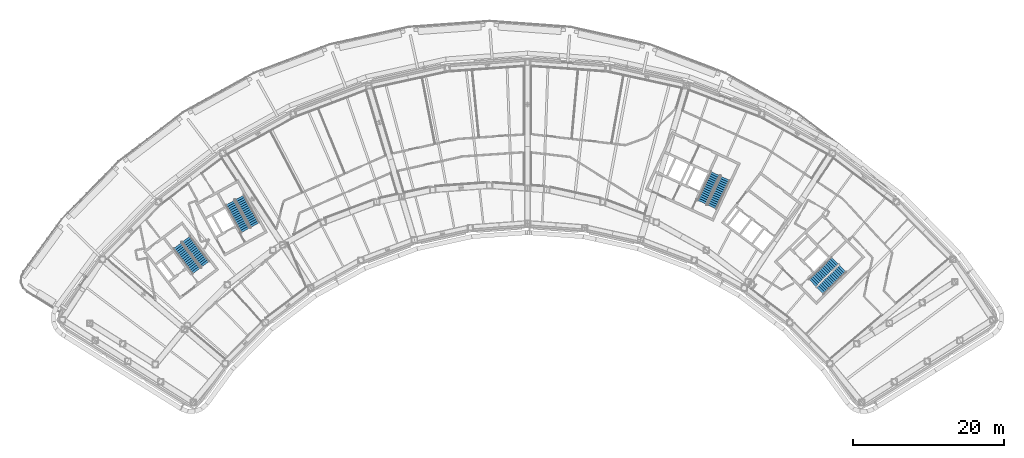
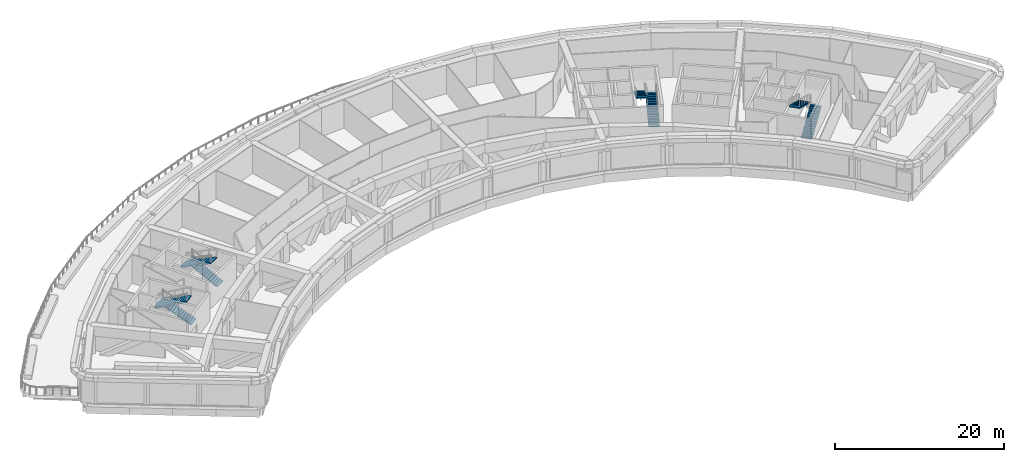
# One storey, part 12 of 24: 8 stair flights, 4 elements without a shape of their own.
"""IFC4 building model written with IfcOpenShell, lengths in metres."""

from ifc_helpers import new_model, si_unit, direction, frame, origin, place, context, subcontext, project, spatial, polyline, outline, extrude, material, type_object, element, aggregate, save


model = new_model("IFC4")

# Units and contexts
model_context = context("Model", 3, precision=1e-05, world=origin(), true_north=direction((0.0, 1.0)))
body_context = subcontext(model_context, "Body", "Model", "MODEL_VIEW")
ifc_project = project(units=[si_unit("LENGTHUNIT", "METRE"), si_unit("AREAUNIT", "SQUARE_METRE"), si_unit("VOLUMEUNIT", "CUBIC_METRE"), si_unit("PLANEANGLEUNIT", "RADIAN"), si_unit("MASSUNIT", "GRAM", prefix="KILO")], contexts=[model_context])

# Site, building, storey
site_placement = place(None, origin())
site = spatial("IfcSite", under=ifc_project, at=site_placement, CompositionType="ELEMENT")
building_placement = place(site_placement, origin())
building = spatial("IfcBuilding", under=site, at=building_placement, Name="Tuul Gate Civic Tower", CompositionType="ELEMENT")
storey_placement = place(building_placement, frame((0.0, 0.0, 94.800048828125)))
storey = spatial("IfcBuildingStorey", under=building, at=storey_placement, Name="Plant and refuge floor 3", CompositionType="ELEMENT", Elevation=94.800048828125)

# Stair, stair flights
ifc_material_1 = material(Name="Concrete C40/50", Category="concrete")
stair_type = type_object("IfcStairType", Name="Exit stair", PredefinedType="HALF_TURN_STAIR", material=ifc_material_1)
stair_1_placement = place(storey_placement, origin())
stair_1 = element("IfcStair", 1, at=stair_1_placement, inside=storey, type_object=stair_type, Name="Plant and refuge floor 3 ST-1", PredefinedType="HALF_TURN_STAIR")
ifc_material_2 = material(Name="Concrete C40/50", Category="concrete")
stair_flight_type = type_object("IfcStairFlightType", Name="Exit stair flight", PredefinedType="STRAIGHT", material=ifc_material_2)
stair_flight_1_placement = place(storey_placement, frame((-32.875244140625, -13.066650390625, 0.0), z_axis=(0.0, 0.0, 1.0), x_axis=(-0.605764474941, 0.795644016442, 0.0)))
stair_flight_1 = element("IfcStairFlight", 2, at=stair_flight_1_placement, type_object=stair_flight_type, Name="ST-1 flight 1", NumberOfRisers=15, NumberOfTreads=14, PredefinedType="STRAIGHT", RiserHeight=0.15, TreadLength=0.3, context=body_context, shape_type="SweptSolid", body=[
    extrude(outline(polyline([(0.0, 0.0), (0.0, 0.14990234375), (0.300048828125, 0.14990234375), (0.300048828125, 0.300048828125), (0.60009765625, 0.300048828125), (0.60009765625, 0.449951171875), (0.89990234375, 0.449951171875), (0.89990234375, 0.60009765625), (1.199951171875, 0.60009765625), (1.199951171875, 0.75), (1.5, 0.75), (1.5, 0.89990234375), (1.800048828125, 0.89990234375), (1.800048828125, 1.050048828125), (2.10009765625, 1.050048828125), (2.10009765625, 1.199951171875), (2.39990234375, 1.199951171875), (2.39990234375, 1.35009765625), (2.699951171875, 1.35009765625), (2.699951171875, 1.5), (3.0, 1.5), (3.0, 1.64990234375), (3.300048828125, 1.64990234375), (3.300048828125, 1.800048828125), (3.60009765625, 1.800048828125), (3.60009765625, 1.949951171875), (3.89990234375, 1.949951171875), (3.89990234375, 2.10009765625), (4.199951171875, 2.10009765625), (4.199951171875, 2.25), (4.199951171875, 1.932373046875), (0.335205078125, 0.0), (0.0, 0.0)])), frame((0.0, 0.675048828125, 0.0), z_axis=(0.0, -1.0, 0.0), x_axis=(1.0, 0.0, 0.0)), (0.0, 0.0, 1.0), 1.35009765625),
])
stair_flight_2_placement = place(storey_placement, frame((-36.5732421875, -10.603515625, 2.25), z_axis=(0.0, 0.0, 1.0), x_axis=(0.605764474941, -0.795644016442, 0.0)))
stair_flight_2 = element("IfcStairFlight", 3, at=stair_flight_2_placement, type_object=stair_flight_type, Name="ST-1 flight 2", NumberOfRisers=15, NumberOfTreads=14, PredefinedType="STRAIGHT", RiserHeight=0.15, TreadLength=0.3, context=body_context, shape_type="SweptSolid", body=[
    extrude(outline(polyline([(0.0, 0.0), (0.0, 0.14990234375), (0.300048828125, 0.14990234375), (0.300048828125, 0.300048828125), (0.60009765625, 0.300048828125), (0.60009765625, 0.449951171875), (0.89990234375, 0.449951171875), (0.89990234375, 0.60009765625), (1.199951171875, 0.60009765625), (1.199951171875, 0.75), (1.5, 0.75), (1.5, 0.89990234375), (1.800048828125, 0.89990234375), (1.800048828125, 1.050048828125), (2.10009765625, 1.050048828125), (2.10009765625, 1.199951171875), (2.39990234375, 1.199951171875), (2.39990234375, 1.35009765625), (2.699951171875, 1.35009765625), (2.699951171875, 1.5), (3.0, 1.5), (3.0, 1.64990234375), (3.300048828125, 1.64990234375), (3.300048828125, 1.800048828125), (3.60009765625, 1.800048828125), (3.60009765625, 1.949951171875), (3.89990234375, 1.949951171875), (3.89990234375, 2.10009765625), (4.199951171875, 2.10009765625), (4.199951171875, 2.25), (4.199951171875, 1.932373046875), (0.335205078125, 0.0), (0.0, 0.0)])), frame((0.0, 0.675048828125, 0.0), z_axis=(0.0, -1.0, 0.0), x_axis=(1.0, 0.0, 0.0)), (0.0, 0.0, 1.0), 1.35009765625),
])
aggregate(stair_1, [stair_flight_1, stair_flight_2])

stair_2_placement = place(storey_placement, origin())
stair_2 = element("IfcStair", 4, at=stair_2_placement, inside=storey, type_object=stair_type, Name="Plant and refuge floor 3 ST-2", PredefinedType="HALF_TURN_STAIR")
stair_flight_3_placement = place(storey_placement, frame((-26.29150390625, -7.87646484375, 0.0), z_axis=(0.0, 0.0, 1.0), x_axis=(-0.484761763766, 0.874646232708, 0.0)))
stair_flight_3 = element("IfcStairFlight", 5, at=stair_flight_3_placement, type_object=stair_flight_type, Name="ST-2 flight 1", NumberOfRisers=15, NumberOfTreads=14, PredefinedType="STRAIGHT", RiserHeight=0.15, TreadLength=0.3, context=body_context, shape_type="SweptSolid", body=[
    extrude(outline(polyline([(0.0, 0.0), (0.0, 0.14990234375), (0.300048828125, 0.14990234375), (0.300048828125, 0.300048828125), (0.60009765625, 0.300048828125), (0.60009765625, 0.449951171875), (0.89990234375, 0.449951171875), (0.89990234375, 0.60009765625), (1.199951171875, 0.60009765625), (1.199951171875, 0.75), (1.5, 0.75), (1.5, 0.89990234375), (1.800048828125, 0.89990234375), (1.800048828125, 1.050048828125), (2.10009765625, 1.050048828125), (2.10009765625, 1.199951171875), (2.39990234375, 1.199951171875), (2.39990234375, 1.35009765625), (2.699951171875, 1.35009765625), (2.699951171875, 1.5), (3.0, 1.5), (3.0, 1.64990234375), (3.300048828125, 1.64990234375), (3.300048828125, 1.800048828125), (3.60009765625, 1.800048828125), (3.60009765625, 1.949951171875), (3.89990234375, 1.949951171875), (3.89990234375, 2.10009765625), (4.199951171875, 2.10009765625), (4.199951171875, 2.25), (4.199951171875, 1.932373046875), (0.335205078125, 0.0), (0.0, 0.0)])), frame((0.0, 0.675048828125, 0.0), z_axis=(0.0, -1.0, 0.0), x_axis=(1.0, 0.0, 0.0)), (0.0, 0.0, 1.0), 1.35009765625),
])
stair_flight_4_placement = place(storey_placement, frame((-29.595947265625, -4.90576171875, 2.25), z_axis=(0.0, 0.0, 1.0), x_axis=(0.484761763766, -0.874646232708, 0.0)))
stair_flight_4 = element("IfcStairFlight", 6, at=stair_flight_4_placement, type_object=stair_flight_type, Name="ST-2 flight 2", NumberOfRisers=15, NumberOfTreads=14, PredefinedType="STRAIGHT", RiserHeight=0.15, TreadLength=0.3, context=body_context, shape_type="SweptSolid", body=[
    extrude(outline(polyline([(0.0, 0.0), (0.0, 0.14990234375), (0.300048828125, 0.14990234375), (0.300048828125, 0.300048828125), (0.60009765625, 0.300048828125), (0.60009765625, 0.449951171875), (0.89990234375, 0.449951171875), (0.89990234375, 0.60009765625), (1.199951171875, 0.60009765625), (1.199951171875, 0.75), (1.5, 0.75), (1.5, 0.89990234375), (1.800048828125, 0.89990234375), (1.800048828125, 1.050048828125), (2.10009765625, 1.050048828125), (2.10009765625, 1.199951171875), (2.39990234375, 1.199951171875), (2.39990234375, 1.35009765625), (2.699951171875, 1.35009765625), (2.699951171875, 1.5), (3.0, 1.5), (3.0, 1.64990234375), (3.300048828125, 1.64990234375), (3.300048828125, 1.800048828125), (3.60009765625, 1.800048828125), (3.60009765625, 1.949951171875), (3.89990234375, 1.949951171875), (3.89990234375, 2.10009765625), (4.199951171875, 2.10009765625), (4.199951171875, 2.25), (4.199951171875, 1.932373046875), (0.335205078125, 0.0), (0.0, 0.0)])), frame((0.0, 0.675048828125, 0.0), z_axis=(0.0, -1.0, 0.0), x_axis=(1.0, 0.0, 0.0)), (0.0, 0.0, 1.0), 1.35009765625),
])
aggregate(stair_2, [stair_flight_3, stair_flight_4])

stair_3_placement = place(storey_placement, origin())
stair_3 = element("IfcStair", 7, at=stair_3_placement, inside=storey, type_object=stair_type, Name="Plant and refuge floor 3 ST-3", PredefinedType="HALF_TURN_STAIR")
stair_flight_5_placement = place(storey_placement, frame((48.61376953125, -16.581787109375, 0.0), z_axis=(0.0, 0.0, 1.0), x_axis=(0.714127290059, 0.700015866672, 0.0)))
stair_flight_5 = element("IfcStairFlight", 8, at=stair_flight_5_placement, type_object=stair_flight_type, Name="ST-3 flight 1", NumberOfRisers=15, NumberOfTreads=14, PredefinedType="STRAIGHT", RiserHeight=0.15, TreadLength=0.3, context=body_context, shape_type="SweptSolid", body=[
    extrude(outline(polyline([(0.0, 0.0), (0.0, 0.14990234375), (0.300048828125, 0.14990234375), (0.300048828125, 0.300048828125), (0.60009765625, 0.300048828125), (0.60009765625, 0.449951171875), (0.89990234375, 0.449951171875), (0.89990234375, 0.60009765625), (1.199951171875, 0.60009765625), (1.199951171875, 0.75), (1.5, 0.75), (1.5, 0.89990234375), (1.800048828125, 0.89990234375), (1.800048828125, 1.050048828125), (2.10009765625, 1.050048828125), (2.10009765625, 1.199951171875), (2.39990234375, 1.199951171875), (2.39990234375, 1.35009765625), (2.699951171875, 1.35009765625), (2.699951171875, 1.5), (3.0, 1.5), (3.0, 1.64990234375), (3.300048828125, 1.64990234375), (3.300048828125, 1.800048828125), (3.60009765625, 1.800048828125), (3.60009765625, 1.949951171875), (3.89990234375, 1.949951171875), (3.89990234375, 2.10009765625), (4.199951171875, 2.10009765625), (4.199951171875, 2.25), (4.199951171875, 1.932373046875), (0.335205078125, 0.0), (0.0, 0.0)])), frame((0.0, 0.675048828125, 0.0), z_axis=(0.0, -1.0, 0.0), x_axis=(1.0, 0.0, 0.0)), (0.0, 0.0, 1.0), 1.35009765625),
])
stair_flight_6_placement = place(storey_placement, frame((50.59814453125, -12.606201171875, 2.25), z_axis=(0.0, 0.0, 1.0), x_axis=(-0.714127290059, -0.700015866672, 0.0)))
stair_flight_6 = element("IfcStairFlight", 9, at=stair_flight_6_placement, type_object=stair_flight_type, Name="ST-3 flight 2", NumberOfRisers=15, NumberOfTreads=14, PredefinedType="STRAIGHT", RiserHeight=0.15, TreadLength=0.3, context=body_context, shape_type="SweptSolid", body=[
    extrude(outline(polyline([(0.0, 0.0), (0.0, 0.14990234375), (0.300048828125, 0.14990234375), (0.300048828125, 0.300048828125), (0.60009765625, 0.300048828125), (0.60009765625, 0.449951171875), (0.89990234375, 0.449951171875), (0.89990234375, 0.60009765625), (1.199951171875, 0.60009765625), (1.199951171875, 0.75), (1.5, 0.75), (1.5, 0.89990234375), (1.800048828125, 0.89990234375), (1.800048828125, 1.050048828125), (2.10009765625, 1.050048828125), (2.10009765625, 1.199951171875), (2.39990234375, 1.199951171875), (2.39990234375, 1.35009765625), (2.699951171875, 1.35009765625), (2.699951171875, 1.5), (3.0, 1.5), (3.0, 1.64990234375), (3.300048828125, 1.64990234375), (3.300048828125, 1.800048828125), (3.60009765625, 1.800048828125), (3.60009765625, 1.949951171875), (3.89990234375, 1.949951171875), (3.89990234375, 2.10009765625), (4.199951171875, 2.10009765625), (4.199951171875, 2.25), (4.199951171875, 1.932373046875), (0.335205078125, 0.0), (0.0, 0.0)])), frame((0.0, 0.675048828125, 0.0), z_axis=(0.0, -1.0, 0.0), x_axis=(1.0, 0.0, 0.0)), (0.0, 0.0, 1.0), 1.35009765625),
])
aggregate(stair_3, [stair_flight_5, stair_flight_6])

stair_4_placement = place(storey_placement, origin())
stair_4 = element("IfcStair", 10, at=stair_4_placement, inside=storey, type_object=stair_type, Name="Plant and refuge floor 3 ST-4", PredefinedType="HALF_TURN_STAIR")
stair_flight_7_placement = place(storey_placement, frame((34.278564453125, -5.478515625, 0.0), z_axis=(0.0, 0.0, 1.0), x_axis=(0.422576295988, 0.906327354806, 0.0)))
stair_flight_7 = element("IfcStairFlight", 11, at=stair_flight_7_placement, type_object=stair_flight_type, Name="ST-4 flight 1", NumberOfRisers=15, NumberOfTreads=14, PredefinedType="STRAIGHT", RiserHeight=0.15, TreadLength=0.3, context=body_context, shape_type="SweptSolid", body=[
    extrude(outline(polyline([(0.0, 0.0), (0.0, 0.14990234375), (0.300048828125, 0.14990234375), (0.300048828125, 0.300048828125), (0.60009765625, 0.300048828125), (0.60009765625, 0.449951171875), (0.89990234375, 0.449951171875), (0.89990234375, 0.60009765625), (1.199951171875, 0.60009765625), (1.199951171875, 0.75), (1.5, 0.75), (1.5, 0.89990234375), (1.800048828125, 0.89990234375), (1.800048828125, 1.050048828125), (2.10009765625, 1.050048828125), (2.10009765625, 1.199951171875), (2.39990234375, 1.199951171875), (2.39990234375, 1.35009765625), (2.699951171875, 1.35009765625), (2.699951171875, 1.5), (3.0, 1.5), (3.0, 1.64990234375), (3.300048828125, 1.64990234375), (3.300048828125, 1.800048828125), (3.60009765625, 1.800048828125), (3.60009765625, 1.949951171875), (3.89990234375, 1.949951171875), (3.89990234375, 2.10009765625), (4.199951171875, 2.10009765625), (4.199951171875, 2.25), (4.199951171875, 1.932373046875), (0.335205078125, 0.0), (0.0, 0.0)])), frame((0.0, 0.675048828125, 0.0), z_axis=(0.0, -1.0, 0.0), x_axis=(1.0, 0.0, 0.0)), (0.0, 0.0, 1.0), 1.35009765625),
])
stair_flight_8_placement = place(storey_placement, frame((34.7392578125, -1.059326171875, 2.25), z_axis=(0.0, 0.0, 1.0), x_axis=(-0.422576295988, -0.906327354806, 0.0)))
stair_flight_8 = element("IfcStairFlight", 12, at=stair_flight_8_placement, type_object=stair_flight_type, Name="ST-4 flight 2", NumberOfRisers=15, NumberOfTreads=14, PredefinedType="STRAIGHT", RiserHeight=0.15, TreadLength=0.3, context=body_context, shape_type="SweptSolid", body=[
    extrude(outline(polyline([(0.0, 0.0), (0.0, 0.14990234375), (0.300048828125, 0.14990234375), (0.300048828125, 0.300048828125), (0.60009765625, 0.300048828125), (0.60009765625, 0.449951171875), (0.89990234375, 0.449951171875), (0.89990234375, 0.60009765625), (1.199951171875, 0.60009765625), (1.199951171875, 0.75), (1.5, 0.75), (1.5, 0.89990234375), (1.800048828125, 0.89990234375), (1.800048828125, 1.050048828125), (2.10009765625, 1.050048828125), (2.10009765625, 1.199951171875), (2.39990234375, 1.199951171875), (2.39990234375, 1.35009765625), (2.699951171875, 1.35009765625), (2.699951171875, 1.5), (3.0, 1.5), (3.0, 1.64990234375), (3.300048828125, 1.64990234375), (3.300048828125, 1.800048828125), (3.60009765625, 1.800048828125), (3.60009765625, 1.949951171875), (3.89990234375, 1.949951171875), (3.89990234375, 2.10009765625), (4.199951171875, 2.10009765625), (4.199951171875, 2.25), (4.199951171875, 1.932373046875), (0.335205078125, 0.0), (0.0, 0.0)])), frame((0.0, 0.675048828125, 0.0), z_axis=(0.0, -1.0, 0.0), x_axis=(1.0, 0.0, 0.0)), (0.0, 0.0, 1.0), 1.35009765625),
])
aggregate(stair_4, [stair_flight_7, stair_flight_8])

save(model, "model.ifc")
